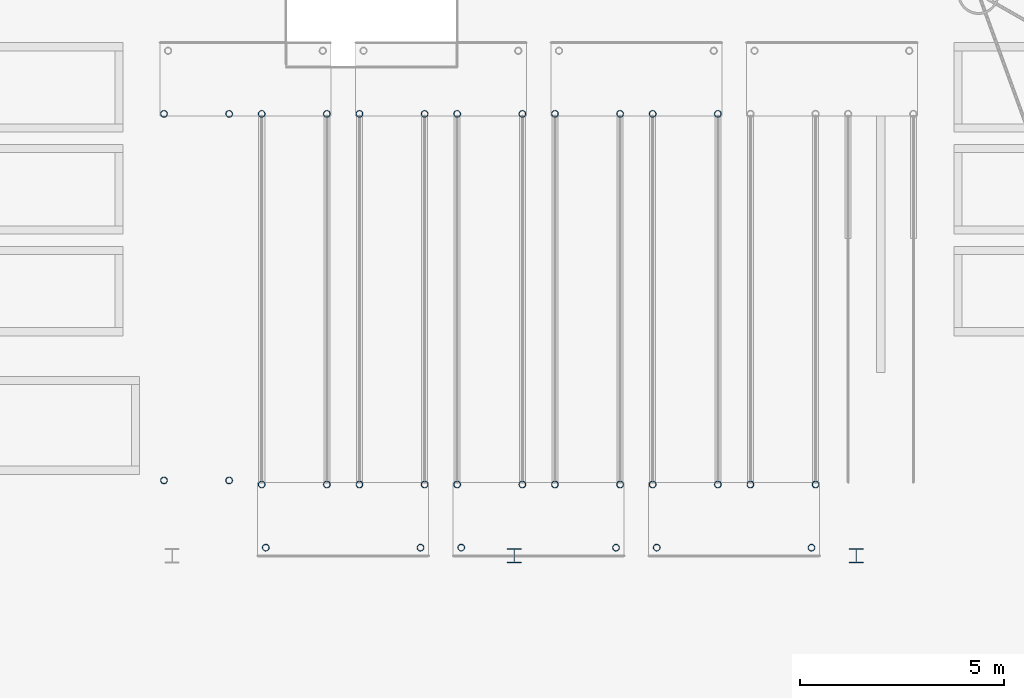
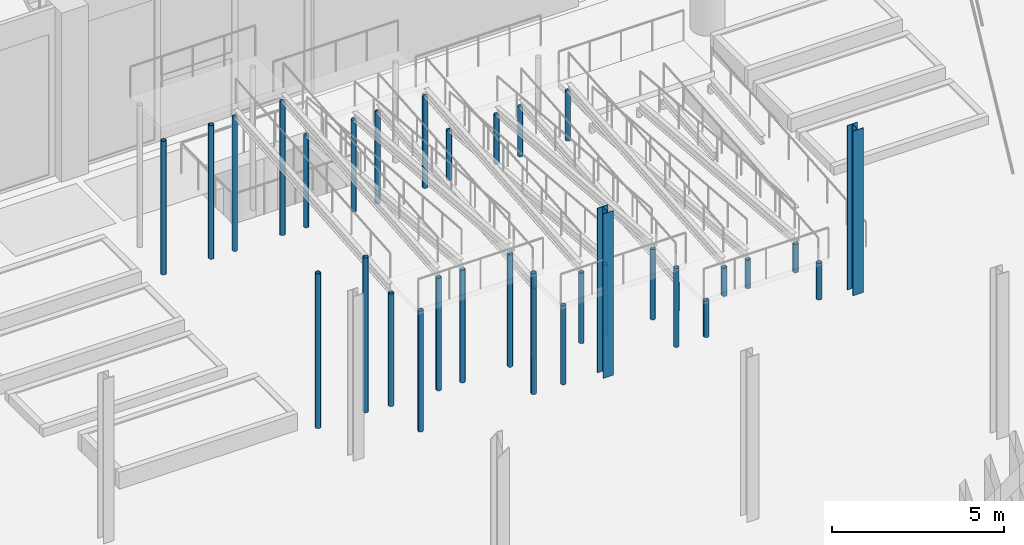
# One storey, part 21 of 108: 34 columns.
"""IFC4 building model written with IfcOpenShell, lengths in metres."""

from ifc_helpers import new_model, si_unit, direction, frame, origin, origin_2d, place, context, subcontext, project, spatial, hollow_circle, i_section, extrude, material, material_profile, profile_set, type_object, element, save


model = new_model("IFC4")

# Units and contexts
model_context = context("Model", 3, precision=1e-05, world=origin(), true_north=direction((0.0, 1.0)))
body_context = subcontext(model_context, "Body", "Model", "MODEL_VIEW")
ifc_project = project(units=[si_unit("LENGTHUNIT", "METRE"), si_unit("AREAUNIT", "SQUARE_METRE"), si_unit("VOLUMEUNIT", "CUBIC_METRE"), si_unit("PLANEANGLEUNIT", "RADIAN"), si_unit("MASSUNIT", "GRAM", prefix="KILO")], contexts=[model_context])

# Site, building, storey
site_placement = place(None, origin())
site = spatial("IfcSite", under=ifc_project, at=site_placement, CompositionType="ELEMENT")
building_placement = place(site_placement, origin())
building = spatial("IfcBuilding", under=site, at=building_placement, Name="Cresset Court Congress Hotel", CompositionType="ELEMENT")
storey_placement = place(building_placement, origin())
storey = spatial("IfcBuildingStorey", under=building, at=storey_placement, Name="L00", CompositionType="ELEMENT", Elevation=0.0)

# Columns
ifc_material_1 = material(Name="Structural steel Q355B", Category="steel")
ifc_material_profile_1 = material_profile(ifc_material_1, hollow_circle(Radius=0.083984375, WallThickness=0.008056640625, at=origin_2d()), Name="CHS168x8")
ifc_profile_set_1 = profile_set([ifc_material_profile_1], Name="Structural steel Q355B")
column_type_1 = type_object("IfcColumnType", Name="Canopy post CHS168x8", PredefinedType="COLUMN", material=ifc_profile_set_1)
for number, where, z_axis, x_axis, name in (
    (1, (100.60009765625, 43.85009765625, 0.0), (0.0, 0.0, 1.0), (1.0, 0.0, 0.0), "Ramp post start L"),
    (2, (102.199951171875, 43.85009765625, 0.0), (0.0, 0.0, 1.0), (1.0, 0.0, 0.0), "Ramp post start R"),
):
    element("IfcColumn", number, at=place(storey_placement, frame(where, z_axis=z_axis, x_axis=x_axis)), inside=storey, type_object=column_type_1, Name=name, PredefinedType="COLUMN", context=body_context, shape_type="SweptSolid", body=[
        extrude(hollow_circle(Radius=0.083984375, WallThickness=0.008056640625, at=origin_2d()), origin(), (0.0, 0.0, 1.0), 5.5),
    ])
for number, where, z_axis, x_axis, name in (
    (3, (100.60009765625, 52.85009765625, 0.0), (0.0, 0.0, 1.0), (1.0, 0.0, 0.0), "Ramp post 21"),
    (4, (102.199951171875, 52.85009765625, 0.0), (0.0, 0.0, 1.0), (1.0, 0.0, 0.0), "Ramp post 22"),
    (5, (103.0, 52.85009765625, 0.0), (0.0, 0.0, 1.0), (1.0, 0.0, 0.0), "Ramp post 23"),
    (6, (104.60009765625, 52.85009765625, 0.0), (0.0, 0.0, 1.0), (1.0, 0.0, 0.0), "Ramp post 24"),
):
    element("IfcColumn", number, at=place(storey_placement, frame(where, z_axis=z_axis, x_axis=x_axis)), inside=storey, type_object=column_type_1, Name=name, PredefinedType="COLUMN", context=body_context, shape_type="SweptSolid", body=[
        extrude(hollow_circle(Radius=0.083984375, WallThickness=0.008056640625, at=origin_2d()), origin(), (0.0, 0.0, 1.0), 4.75),
    ])
for number, where, z_axis, x_axis, name in (
    (7, (103.10009765625, 42.199951171875, 0.0), (0.0, 0.0, 1.0), (1.0, 0.0, 0.0), "Ramp post 35"),
    (8, (106.89990234375, 42.199951171875, 0.0), (0.0, 0.0, 1.0), (1.0, 0.0, 0.0), "Ramp post 36"),
):
    element("IfcColumn", number, at=place(storey_placement, frame(where, z_axis=z_axis, x_axis=x_axis)), inside=storey, type_object=column_type_1, Name=name, PredefinedType="COLUMN", context=body_context, shape_type="SweptSolid", body=[
        extrude(hollow_circle(Radius=0.083984375, WallThickness=0.008056640625, at=origin_2d()), origin(), (0.0, 0.0, 1.0), 4.300048828125),
    ])
for number, where, z_axis, x_axis, name in (
    (9, (103.0, 43.75, 0.0), (0.0, 0.0, 1.0), (1.0, 0.0, 0.0), "Ramp post 31"),
    (10, (104.60009765625, 43.75, 0.0), (0.0, 0.0, 1.0), (1.0, 0.0, 0.0), "Ramp post 32"),
    (11, (105.39990234375, 43.75, 0.0), (0.0, 0.0, 1.0), (1.0, 0.0, 0.0), "Ramp post 33"),
    (12, (107.0, 43.75, 0.0), (0.0, 0.0, 1.0), (1.0, 0.0, 0.0), "Ramp post 34"),
):
    element("IfcColumn", number, at=place(storey_placement, frame(where, z_axis=z_axis, x_axis=x_axis)), inside=storey, type_object=column_type_1, Name=name, PredefinedType="COLUMN", context=body_context, shape_type="SweptSolid", body=[
        extrude(hollow_circle(Radius=0.083984375, WallThickness=0.008056640625, at=origin_2d()), origin(), (0.0, 0.0, 1.0), 4.0),
    ])
for number, where, z_axis, x_axis, name in (
    (13, (105.39990234375, 52.85009765625, 0.0), (0.0, 0.0, 1.0), (1.0, 0.0, 0.0), "Ramp post 41"),
    (14, (107.0, 52.85009765625, 0.0), (0.0, 0.0, 1.0), (1.0, 0.0, 0.0), "Ramp post 42"),
    (15, (107.800048828125, 52.85009765625, 0.0), (0.0, 0.0, 1.0), (1.0, 0.0, 0.0), "Ramp post 43"),
    (16, (109.39990234375, 52.85009765625, 0.0), (0.0, 0.0, 1.0), (1.0, 0.0, 0.0), "Ramp post 44"),
):
    element("IfcColumn", number, at=place(storey_placement, frame(where, z_axis=z_axis, x_axis=x_axis)), inside=storey, type_object=column_type_1, Name=name, PredefinedType="COLUMN", context=body_context, shape_type="SweptSolid", body=[
        extrude(hollow_circle(Radius=0.083984375, WallThickness=0.008056640625, at=origin_2d()), origin(), (0.0, 0.0, 1.0), 3.25),
    ])
for number, where, z_axis, x_axis, name in (
    (17, (107.89990234375, 42.199951171875, 0.0), (0.0, 0.0, 1.0), (1.0, 0.0, 0.0), "Ramp post 55"),
    (18, (111.699951171875, 42.199951171875, 0.0), (0.0, 0.0, 1.0), (1.0, 0.0, 0.0), "Ramp post 56"),
):
    element("IfcColumn", number, at=place(storey_placement, frame(where, z_axis=z_axis, x_axis=x_axis)), inside=storey, type_object=column_type_1, Name=name, PredefinedType="COLUMN", context=body_context, shape_type="SweptSolid", body=[
        extrude(hollow_circle(Radius=0.083984375, WallThickness=0.008056640625, at=origin_2d()), origin(), (0.0, 0.0, 1.0), 2.800048828125),
    ])
for number, where, z_axis, x_axis, name in (
    (19, (107.800048828125, 43.75, 0.0), (0.0, 0.0, 1.0), (1.0, 0.0, 0.0), "Ramp post 51"),
    (20, (109.39990234375, 43.75, 0.0), (0.0, 0.0, 1.0), (1.0, 0.0, 0.0), "Ramp post 52"),
    (21, (110.199951171875, 43.75, 0.0), (0.0, 0.0, 1.0), (1.0, 0.0, 0.0), "Ramp post 53"),
    (22, (111.800048828125, 43.75, 0.0), (0.0, 0.0, 1.0), (1.0, 0.0, 0.0), "Ramp post 54"),
):
    element("IfcColumn", number, at=place(storey_placement, frame(where, z_axis=z_axis, x_axis=x_axis)), inside=storey, type_object=column_type_1, Name=name, PredefinedType="COLUMN", context=body_context, shape_type="SweptSolid", body=[
        extrude(hollow_circle(Radius=0.083984375, WallThickness=0.008056640625, at=origin_2d()), origin(), (0.0, 0.0, 1.0), 2.5),
    ])
for number, where, z_axis, x_axis, name in (
    (23, (110.199951171875, 52.85009765625, 0.0), (0.0, 0.0, 1.0), (1.0, 0.0, 0.0), "Ramp post 61"),
    (24, (111.800048828125, 52.85009765625, 0.0), (0.0, 0.0, 1.0), (1.0, 0.0, 0.0), "Ramp post 62"),
    (25, (112.60009765625, 52.85009765625, 0.0), (0.0, 0.0, 1.0), (1.0, 0.0, 0.0), "Ramp post 63"),
    (26, (114.199951171875, 52.85009765625, 0.0), (0.0, 0.0, 1.0), (1.0, 0.0, 0.0), "Ramp post 64"),
):
    element("IfcColumn", number, at=place(storey_placement, frame(where, z_axis=z_axis, x_axis=x_axis)), inside=storey, type_object=column_type_1, Name=name, PredefinedType="COLUMN", context=body_context, shape_type="SweptSolid", body=[
        extrude(hollow_circle(Radius=0.083984375, WallThickness=0.008056640625, at=origin_2d()), origin(), (0.0, 0.0, 1.0), 1.75),
    ])
for number, where, z_axis, x_axis, name in (
    (27, (112.699951171875, 42.199951171875, 0.0), (0.0, 0.0, 1.0), (1.0, 0.0, 0.0), "Ramp post 75"),
    (28, (116.5, 42.199951171875, 0.0), (0.0, 0.0, 1.0), (1.0, 0.0, 0.0), "Ramp post 76"),
):
    element("IfcColumn", number, at=place(storey_placement, frame(where, z_axis=z_axis, x_axis=x_axis)), inside=storey, type_object=column_type_1, Name=name, PredefinedType="COLUMN", context=body_context, shape_type="SweptSolid", body=[
        extrude(hollow_circle(Radius=0.083984375, WallThickness=0.008056640625, at=origin_2d()), origin(), (0.0, 0.0, 1.0), 1.300048828125),
    ])
for number, where, z_axis, x_axis, name in (
    (29, (112.60009765625, 43.75, 0.0), (0.0, 0.0, 1.0), (1.0, 0.0, 0.0), "Ramp post 71"),
    (30, (114.199951171875, 43.75, 0.0), (0.0, 0.0, 1.0), (1.0, 0.0, 0.0), "Ramp post 72"),
    (31, (115.0, 43.75, 0.0), (0.0, 0.0, 1.0), (1.0, 0.0, 0.0), "Ramp post 73"),
    (32, (116.60009765625, 43.75, 0.0), (0.0, 0.0, 1.0), (1.0, 0.0, 0.0), "Ramp post 74"),
):
    element("IfcColumn", number, at=place(storey_placement, frame(where, z_axis=z_axis, x_axis=x_axis)), inside=storey, type_object=column_type_1, Name=name, PredefinedType="COLUMN", context=body_context, shape_type="SweptSolid", body=[
        extrude(hollow_circle(Radius=0.083984375, WallThickness=0.008056640625, at=origin_2d()), origin(), (0.0, 0.0, 1.0), 1.0),
    ])
ifc_material_2 = material(Name="Structural steel Q355B", Category="steel")
ifc_material_profile_2 = material_profile(ifc_material_2, i_section(OverallWidth=0.35009765625, OverallDepth=0.35009765625, WebThickness=0.011962890625, FlangeThickness=0.01904296875, FilletRadius=0.012939453125, at=origin_2d()), Name="HW350x350x12x19")
ifc_profile_set_2 = profile_set([ifc_material_profile_2], Name="Structural steel Q355B")
column_type_2 = type_object("IfcColumnType", Name="Steel column HW350x350x12x19", PredefinedType="COLUMN", material=ifc_profile_set_2)
for number, where, z_axis, x_axis, name in (
    (33, (109.199951171875, 42.0, 0.0), (0.0, 0.0, 1.0), (1.0, 0.0, 0.0), "Deck column R313"),
    (34, (117.60009765625, 42.0, 0.0), (0.0, 0.0, 1.0), (1.0, 0.0, 0.0), "Deck column R314"),
):
    element("IfcColumn", number, at=place(storey_placement, frame(where, z_axis=z_axis, x_axis=x_axis)), inside=storey, type_object=column_type_2, Name=name, PredefinedType="COLUMN", context=body_context, shape_type="SweptSolid", body=[
        extrude(i_section(OverallWidth=0.35009765625, OverallDepth=0.35009765625, WebThickness=0.011962890625, FlangeThickness=0.01904296875, FilletRadius=0.012939453125, at=origin_2d()), origin(), (0.0, 0.0, 1.0), 5.85009765625),
    ])

save(model, "model.ifc")
